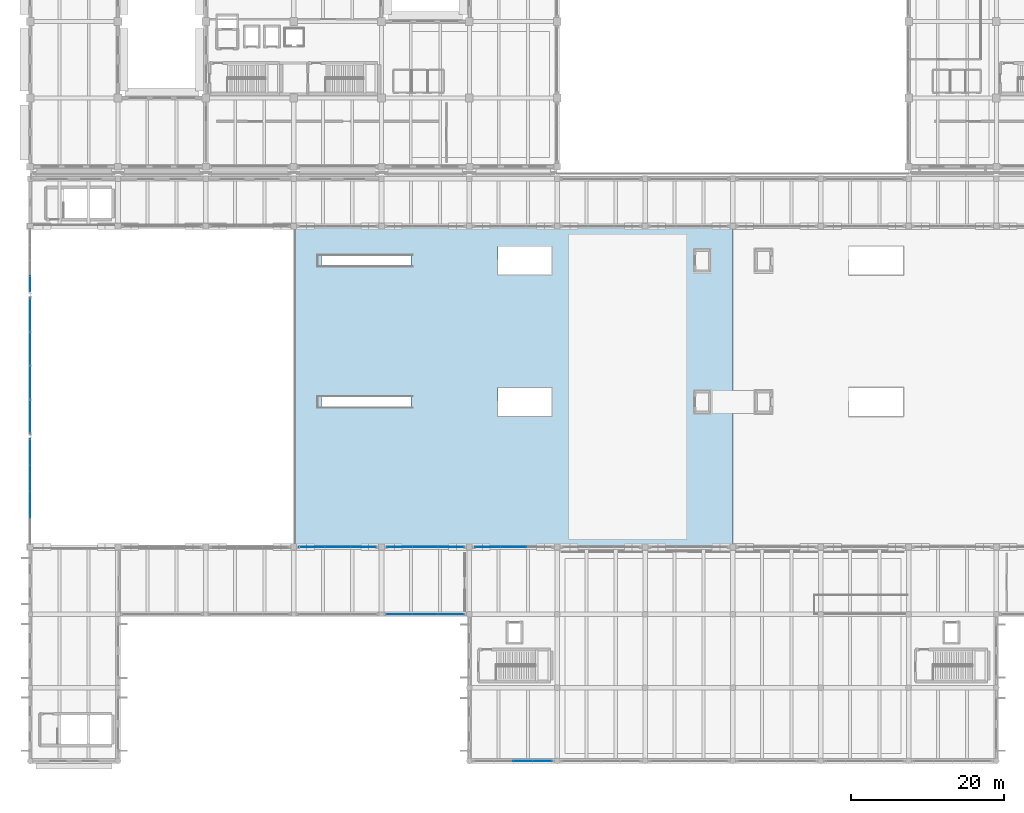
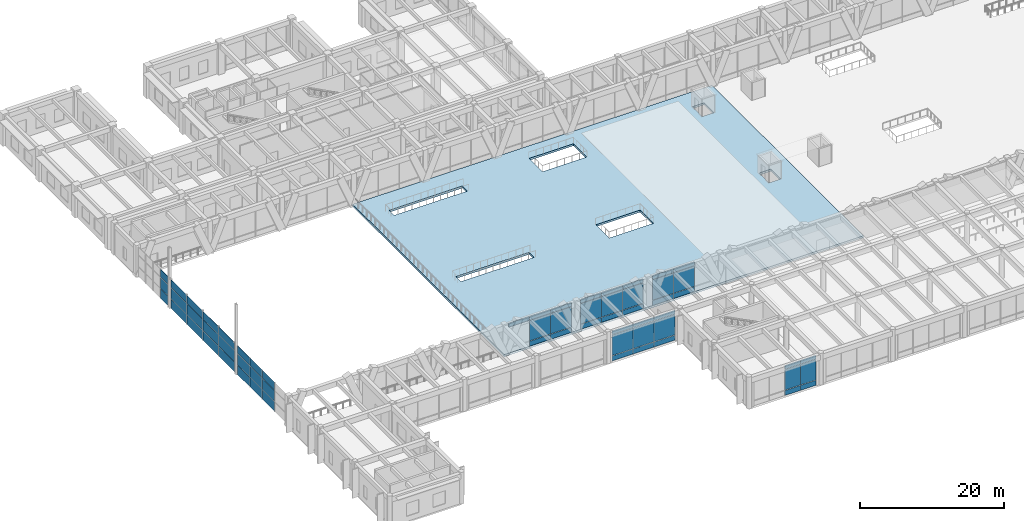
# One storey, part 114 of 148: 61 plates, 1 slab, 8 elements without a shape of their own.
"""IFC4 building model written with IfcOpenShell, lengths in metres."""

from ifc_helpers import new_model, si_unit, direction, frame, origin, origin_2d, place, context, subcontext, project, spatial, polyline, rectangle, outline, extrude, material, layer, layer_set, type_object, element, aggregate, save


model = new_model("IFC4")

# Units and contexts
model_context = context("Model", 3, precision=1e-05, world=origin(), true_north=direction((0.0, 1.0)))
body_context = subcontext(model_context, "Body", "Model", "MODEL_VIEW")
ifc_project = project(units=[si_unit("LENGTHUNIT", "METRE"), si_unit("AREAUNIT", "SQUARE_METRE"), si_unit("VOLUMEUNIT", "CUBIC_METRE"), si_unit("PLANEANGLEUNIT", "RADIAN"), si_unit("MASSUNIT", "GRAM", prefix="KILO")], contexts=[model_context])

# Site, building, storey
site_placement = place(None, origin())
site = spatial("IfcSite", under=ifc_project, at=site_placement, CompositionType="ELEMENT")
building_placement = place(site_placement, origin())
building = spatial("IfcBuilding", under=site, at=building_placement, Name="Ologun Quay Terminus", CompositionType="ELEMENT")
storey_placement = place(building_placement, frame((0.0, 0.0, 8.39990234375)))
storey = spatial("IfcBuildingStorey", under=building, at=storey_placement, Name="L02", CompositionType="ELEMENT", Elevation=8.39990234375)

# Curtain wall, plates
ifc_material_1 = material(Name="Aluminium 6063-T6", Category="aluminium")
curtain_wall_type_1 = type_object("IfcCurtainWallType", Name="Concourse Departure Curtain Wall 10700x4950", PredefinedType="USERDEFINED", material=ifc_material_1)
curtain_wall_1_placement = place(storey_placement, origin())
curtain_wall_1 = element("IfcCurtainWall", 1, at=curtain_wall_1_placement, inside=storey, type_object=curtain_wall_type_1, Name="CW-05 Curtain Wall CW-L02-024", ObjectType="UNITISED CURTAIN WALL", PredefinedType="USERDEFINED")
ifc_material_2 = material(Name="Glass", Category="glass")
ifc_layer_1 = layer(ifc_material_2, 0.031982421875)
ifc_layer_set_1 = layer_set([ifc_layer_1], Name="Glass")
plate_type_1 = type_object("IfcPlateType", Name="Acoustic Low-E Laminated Glazed Panel 32", PredefinedType="CURTAIN_PANEL", material=ifc_layer_set_1)
plate_1_placement = place(storey_placement, frame((64.501220703125, 8.0, 0.93017578125), z_axis=(0.0, 0.0, 1.0), x_axis=(1.0, 0.0, 0.0)))
plate_1 = element("IfcPlate", 2, at=plate_1_placement, type_object=plate_type_1, Name="CW-L02-024 Panel B3-2", PredefinedType="CURTAIN_PANEL", context=body_context, shape_type="SweptSolid", body=[
    extrude(rectangle(XDim=2.50244140625, YDim=0.031982421875, at=origin_2d()), origin(), (0.0, 0.0, 1.0), 3.47998046875),
])
plate_2_placement = place(storey_placement, frame((64.501220703125, 8.0, 4.47021484375), z_axis=(0.0, 0.0, 1.0), x_axis=(1.0, 0.0, 0.0)))
plate_2 = element("IfcPlate", 3, at=plate_2_placement, type_object=plate_type_1, Name="CW-L02-024 Panel B3-3", PredefinedType="CURTAIN_PANEL", context=body_context, shape_type="SweptSolid", body=[
    extrude(rectangle(XDim=2.50244140625, YDim=0.031982421875, at=origin_2d()), origin(), (0.0, 0.0, 1.0), 0.639892578125),
])
plate_3_placement = place(storey_placement, frame((67.003662109375, 8.0, 0.93017578125), z_axis=(0.0, 0.0, 1.0), x_axis=(1.0, 0.0, 0.0)))
plate_3 = element("IfcPlate", 4, at=plate_3_placement, type_object=plate_type_1, Name="CW-L02-024 Panel B4-2", PredefinedType="CURTAIN_PANEL", context=body_context, shape_type="SweptSolid", body=[
    extrude(rectangle(XDim=2.50244140625, YDim=0.031982421875, at=origin_2d()), origin(), (0.0, 0.0, 1.0), 3.47998046875),
])
plate_4_placement = place(storey_placement, frame((67.003662109375, 8.0, 4.47021484375), z_axis=(0.0, 0.0, 1.0), x_axis=(1.0, 0.0, 0.0)))
plate_4 = element("IfcPlate", 5, at=plate_4_placement, type_object=plate_type_1, Name="CW-L02-024 Panel B4-3", PredefinedType="CURTAIN_PANEL", context=body_context, shape_type="SweptSolid", body=[
    extrude(rectangle(XDim=2.50244140625, YDim=0.031982421875, at=origin_2d()), origin(), (0.0, 0.0, 1.0), 0.639892578125),
])

ifc_material_3 = material(Name="Aluminium 6063-T6", Category="aluminium")
curtain_wall_type_2 = type_object("IfcCurtainWallType", Name="Train Shed Gable Arch Screen 13500x4900", PredefinedType="USERDEFINED", material=ifc_material_3)
curtain_wall_2_placement = place(storey_placement, origin())
curtain_wall_2 = element("IfcCurtainWall", 6, at=curtain_wall_2_placement, inside=storey, type_object=curtain_wall_type_2, Name="CW-10 Curtain Wall CW-GBL-W1", ObjectType="UNITISED CURTAIN WALL", PredefinedType="USERDEFINED")
plate_5_placement = place(storey_placement, frame((0.0, 41.53759765625, 0.170166015625), z_axis=(0.0, 0.0, 1.0), x_axis=(0.0, 1.0, 0.0)))
plate_5 = element("IfcPlate", 7, at=plate_5_placement, type_object=plate_type_1, Name="CW-GBL-W1 Panel B2-1", PredefinedType="CURTAIN_PANEL", context=body_context, shape_type="SweptSolid", body=[
    extrude(rectangle(XDim=3.425048828125, YDim=0.031982421875, at=origin_2d()), origin(), (0.0, 0.0, 1.0), 1.60009765625),
])
plate_6_placement = place(storey_placement, frame((0.0, 41.53759765625, 1.830078125), z_axis=(0.0, 0.0, 1.0), x_axis=(0.0, 1.0, 0.0)))
plate_6 = element("IfcPlate", 8, at=plate_6_placement, type_object=plate_type_1, Name="CW-GBL-W1 Panel B2-2", PredefinedType="CURTAIN_PANEL", context=body_context, shape_type="SweptSolid", body=[
    extrude(rectangle(XDim=3.425048828125, YDim=0.031982421875, at=origin_2d()), origin(), (0.0, 0.0, 1.0), 1.840087890625),
])
plate_7_placement = place(storey_placement, frame((0.0, 41.53759765625, 3.72998046875), z_axis=(0.0, 0.0, 1.0), x_axis=(0.0, 1.0, 0.0)))
plate_7 = element("IfcPlate", 9, at=plate_7_placement, type_object=plate_type_1, Name="CW-GBL-W1 Panel B2-3", PredefinedType="CURTAIN_PANEL", context=body_context, shape_type="SweptSolid", body=[
    extrude(rectangle(XDim=3.425048828125, YDim=0.031982421875, at=origin_2d()), origin(), (0.0, 0.0, 1.0), 1.340087890625),
])
plate_8_placement = place(storey_placement, frame((0.0, 44.96240234375, 0.170166015625), z_axis=(0.0, 0.0, 1.0), x_axis=(0.0, 1.0, 0.0)))
plate_8 = element("IfcPlate", 10, at=plate_8_placement, type_object=plate_type_1, Name="CW-GBL-W1 Panel B3-1", PredefinedType="CURTAIN_PANEL", context=body_context, shape_type="SweptSolid", body=[
    extrude(rectangle(XDim=3.425048828125, YDim=0.031982421875, at=origin_2d()), origin(), (0.0, 0.0, 1.0), 1.60009765625),
])
plate_9_placement = place(storey_placement, frame((0.0, 44.96240234375, 1.830078125), z_axis=(0.0, 0.0, 1.0), x_axis=(0.0, 1.0, 0.0)))
plate_9 = element("IfcPlate", 11, at=plate_9_placement, type_object=plate_type_1, Name="CW-GBL-W1 Panel B3-2", PredefinedType="CURTAIN_PANEL", context=body_context, shape_type="SweptSolid", body=[
    extrude(rectangle(XDim=3.425048828125, YDim=0.031982421875, at=origin_2d()), origin(), (0.0, 0.0, 1.0), 1.840087890625),
])
plate_10_placement = place(storey_placement, frame((0.0, 44.96240234375, 3.72998046875), z_axis=(0.0, 0.0, 1.0), x_axis=(0.0, 1.0, 0.0)))
plate_10 = element("IfcPlate", 12, at=plate_10_placement, type_object=plate_type_1, Name="CW-GBL-W1 Panel B3-3", PredefinedType="CURTAIN_PANEL", context=body_context, shape_type="SweptSolid", body=[
    extrude(rectangle(XDim=3.425048828125, YDim=0.031982421875, at=origin_2d()), origin(), (0.0, 0.0, 1.0), 1.340087890625),
])
plate_11_placement = place(storey_placement, frame((0.0, 48.387451171875, 0.170166015625), z_axis=(0.0, 0.0, 1.0), x_axis=(0.0, 1.0, 0.0)))
plate_11 = element("IfcPlate", 13, at=plate_11_placement, type_object=plate_type_1, Name="CW-GBL-W1 Panel B4-1", PredefinedType="CURTAIN_PANEL", context=body_context, shape_type="SweptSolid", body=[
    extrude(rectangle(XDim=3.425048828125, YDim=0.031982421875, at=origin_2d()), origin(), (0.0, 0.0, 1.0), 1.60009765625),
])
plate_12_placement = place(storey_placement, frame((0.0, 48.387451171875, 1.830078125), z_axis=(0.0, 0.0, 1.0), x_axis=(0.0, 1.0, 0.0)))
plate_12 = element("IfcPlate", 14, at=plate_12_placement, type_object=plate_type_1, Name="CW-GBL-W1 Panel B4-2", PredefinedType="CURTAIN_PANEL", context=body_context, shape_type="SweptSolid", body=[
    extrude(rectangle(XDim=3.425048828125, YDim=0.031982421875, at=origin_2d()), origin(), (0.0, 0.0, 1.0), 1.840087890625),
])
plate_13_placement = place(storey_placement, frame((0.0, 48.387451171875, 3.72998046875), z_axis=(0.0, 0.0, 1.0), x_axis=(0.0, 1.0, 0.0)))
plate_13 = element("IfcPlate", 15, at=plate_13_placement, type_object=plate_type_1, Name="CW-GBL-W1 Panel B4-3", PredefinedType="CURTAIN_PANEL", context=body_context, shape_type="SweptSolid", body=[
    extrude(rectangle(XDim=3.425048828125, YDim=0.031982421875, at=origin_2d()), origin(), (0.0, 0.0, 1.0), 1.340087890625),
])
aggregate(curtain_wall_2, [plate_5, plate_6, plate_7, plate_8, plate_9, plate_10, plate_11, plate_12, plate_13])

ifc_material_4 = material(Name="Aluminium 6063-T6", Category="aluminium")
curtain_wall_type_3 = type_object("IfcCurtainWallType", Name="Train Shed Gable Center Screen 17500x4900", PredefinedType="USERDEFINED", material=ifc_material_4)
curtain_wall_3_placement = place(storey_placement, origin())
curtain_wall_3 = element("IfcCurtainWall", 16, at=curtain_wall_3_placement, inside=storey, type_object=curtain_wall_type_3, Name="CW-11 Curtain Wall CW-GBL-W2", ObjectType="UNITISED CURTAIN WALL", PredefinedType="USERDEFINED")
plate_14_placement = place(storey_placement, frame((0.0, 53.112548828125, 0.170166015625), z_axis=(0.0, 0.0, 1.0), x_axis=(0.0, 1.0, 0.0)))
plate_14 = element("IfcPlate", 17, at=plate_14_placement, type_object=plate_type_1, Name="CW-GBL-W2 Panel B1-1", PredefinedType="CURTAIN_PANEL", context=body_context, shape_type="SweptSolid", body=[
    extrude(rectangle(XDim=4.425048828125, YDim=0.031982421875, at=origin_2d()), origin(), (0.0, 0.0, 1.0), 1.60009765625),
])
plate_15_placement = place(storey_placement, frame((0.0, 53.112548828125, 1.830078125), z_axis=(0.0, 0.0, 1.0), x_axis=(0.0, 1.0, 0.0)))
plate_15 = element("IfcPlate", 18, at=plate_15_placement, type_object=plate_type_1, Name="CW-GBL-W2 Panel B1-2", PredefinedType="CURTAIN_PANEL", context=body_context, shape_type="SweptSolid", body=[
    extrude(rectangle(XDim=4.425048828125, YDim=0.031982421875, at=origin_2d()), origin(), (0.0, 0.0, 1.0), 1.840087890625),
])
plate_16_placement = place(storey_placement, frame((0.0, 53.112548828125, 3.72998046875), z_axis=(0.0, 0.0, 1.0), x_axis=(0.0, 1.0, 0.0)))
plate_16 = element("IfcPlate", 19, at=plate_16_placement, type_object=plate_type_1, Name="CW-GBL-W2 Panel B1-3", PredefinedType="CURTAIN_PANEL", context=body_context, shape_type="SweptSolid", body=[
    extrude(rectangle(XDim=4.425048828125, YDim=0.031982421875, at=origin_2d()), origin(), (0.0, 0.0, 1.0), 1.340087890625),
])
plate_17_placement = place(storey_placement, frame((0.0, 57.53759765625, 0.170166015625), z_axis=(0.0, 0.0, 1.0), x_axis=(0.0, 1.0, 0.0)))
plate_17 = element("IfcPlate", 20, at=plate_17_placement, type_object=plate_type_1, Name="CW-GBL-W2 Panel B2-1", PredefinedType="CURTAIN_PANEL", context=body_context, shape_type="SweptSolid", body=[
    extrude(rectangle(XDim=4.425048828125, YDim=0.031982421875, at=origin_2d()), origin(), (0.0, 0.0, 1.0), 1.60009765625),
])
plate_18_placement = place(storey_placement, frame((0.0, 57.53759765625, 1.830078125), z_axis=(0.0, 0.0, 1.0), x_axis=(0.0, 1.0, 0.0)))
plate_18 = element("IfcPlate", 21, at=plate_18_placement, type_object=plate_type_1, Name="CW-GBL-W2 Panel B2-2", PredefinedType="CURTAIN_PANEL", context=body_context, shape_type="SweptSolid", body=[
    extrude(rectangle(XDim=4.425048828125, YDim=0.031982421875, at=origin_2d()), origin(), (0.0, 0.0, 1.0), 1.840087890625),
])
plate_19_placement = place(storey_placement, frame((0.0, 57.53759765625, 3.72998046875), z_axis=(0.0, 0.0, 1.0), x_axis=(0.0, 1.0, 0.0)))
plate_19 = element("IfcPlate", 22, at=plate_19_placement, type_object=plate_type_1, Name="CW-GBL-W2 Panel B2-3", PredefinedType="CURTAIN_PANEL", context=body_context, shape_type="SweptSolid", body=[
    extrude(rectangle(XDim=4.425048828125, YDim=0.031982421875, at=origin_2d()), origin(), (0.0, 0.0, 1.0), 1.340087890625),
])
plate_20_placement = place(storey_placement, frame((0.0, 61.96240234375, 0.170166015625), z_axis=(0.0, 0.0, 1.0), x_axis=(0.0, 1.0, 0.0)))
plate_20 = element("IfcPlate", 23, at=plate_20_placement, type_object=plate_type_1, Name="CW-GBL-W2 Panel B3-1", PredefinedType="CURTAIN_PANEL", context=body_context, shape_type="SweptSolid", body=[
    extrude(rectangle(XDim=4.425048828125, YDim=0.031982421875, at=origin_2d()), origin(), (0.0, 0.0, 1.0), 1.60009765625),
])
plate_21_placement = place(storey_placement, frame((0.0, 61.96240234375, 1.830078125), z_axis=(0.0, 0.0, 1.0), x_axis=(0.0, 1.0, 0.0)))
plate_21 = element("IfcPlate", 24, at=plate_21_placement, type_object=plate_type_1, Name="CW-GBL-W2 Panel B3-2", PredefinedType="CURTAIN_PANEL", context=body_context, shape_type="SweptSolid", body=[
    extrude(rectangle(XDim=4.425048828125, YDim=0.031982421875, at=origin_2d()), origin(), (0.0, 0.0, 1.0), 1.840087890625),
])
plate_22_placement = place(storey_placement, frame((0.0, 61.96240234375, 3.72998046875), z_axis=(0.0, 0.0, 1.0), x_axis=(0.0, 1.0, 0.0)))
plate_22 = element("IfcPlate", 25, at=plate_22_placement, type_object=plate_type_1, Name="CW-GBL-W2 Panel B3-3", PredefinedType="CURTAIN_PANEL", context=body_context, shape_type="SweptSolid", body=[
    extrude(rectangle(XDim=4.425048828125, YDim=0.031982421875, at=origin_2d()), origin(), (0.0, 0.0, 1.0), 1.340087890625),
])
plate_23_placement = place(storey_placement, frame((0.0, 66.387451171875, 0.170166015625), z_axis=(0.0, 0.0, 1.0), x_axis=(0.0, 1.0, 0.0)))
plate_23 = element("IfcPlate", 26, at=plate_23_placement, type_object=plate_type_1, Name="CW-GBL-W2 Panel B4-1", PredefinedType="CURTAIN_PANEL", context=body_context, shape_type="SweptSolid", body=[
    extrude(rectangle(XDim=4.425048828125, YDim=0.031982421875, at=origin_2d()), origin(), (0.0, 0.0, 1.0), 1.60009765625),
])
plate_24_placement = place(storey_placement, frame((0.0, 66.387451171875, 1.830078125), z_axis=(0.0, 0.0, 1.0), x_axis=(0.0, 1.0, 0.0)))
plate_24 = element("IfcPlate", 27, at=plate_24_placement, type_object=plate_type_1, Name="CW-GBL-W2 Panel B4-2", PredefinedType="CURTAIN_PANEL", context=body_context, shape_type="SweptSolid", body=[
    extrude(rectangle(XDim=4.425048828125, YDim=0.031982421875, at=origin_2d()), origin(), (0.0, 0.0, 1.0), 1.840087890625),
])
plate_25_placement = place(storey_placement, frame((0.0, 66.387451171875, 3.72998046875), z_axis=(0.0, 0.0, 1.0), x_axis=(0.0, 1.0, 0.0)))
plate_25 = element("IfcPlate", 28, at=plate_25_placement, type_object=plate_type_1, Name="CW-GBL-W2 Panel B4-3", PredefinedType="CURTAIN_PANEL", context=body_context, shape_type="SweptSolid", body=[
    extrude(rectangle(XDim=4.425048828125, YDim=0.031982421875, at=origin_2d()), origin(), (0.0, 0.0, 1.0), 1.340087890625),
])
aggregate(curtain_wall_3, [plate_14, plate_15, plate_16, plate_17, plate_18, plate_19, plate_20, plate_21, plate_22, plate_23, plate_24, plate_25])

curtain_wall_4_placement = place(storey_placement, origin())
curtain_wall_4 = element("IfcCurtainWall", 29, at=curtain_wall_4_placement, inside=storey, type_object=curtain_wall_type_2, Name="CW-10 Curtain Wall CW-GBL-W3", ObjectType="UNITISED CURTAIN WALL", PredefinedType="USERDEFINED")
plate_26_placement = place(storey_placement, frame((0.0, 70.425048828125, 0.170166015625), z_axis=(0.0, 0.0, 1.0), x_axis=(0.0, 1.0, 0.0)))
plate_26 = element("IfcPlate", 30, at=plate_26_placement, type_object=plate_type_1, Name="CW-GBL-W3 Panel B1-1", PredefinedType="CURTAIN_PANEL", context=body_context, shape_type="SweptSolid", body=[
    extrude(rectangle(XDim=2.050048828125, YDim=0.031982421875, at=origin_2d()), origin(), (0.0, 0.0, 1.0), 1.60009765625),
])
plate_27_placement = place(storey_placement, frame((0.0, 70.425048828125, 1.830078125), z_axis=(0.0, 0.0, 1.0), x_axis=(0.0, 1.0, 0.0)))
plate_27 = element("IfcPlate", 31, at=plate_27_placement, type_object=plate_type_1, Name="CW-GBL-W3 Panel B1-2", PredefinedType="CURTAIN_PANEL", context=body_context, shape_type="SweptSolid", body=[
    extrude(rectangle(XDim=2.050048828125, YDim=0.031982421875, at=origin_2d()), origin(), (0.0, 0.0, 1.0), 1.840087890625),
])
plate_28_placement = place(storey_placement, frame((0.0, 70.425048828125, 3.72998046875), z_axis=(0.0, 0.0, 1.0), x_axis=(0.0, 1.0, 0.0)))
plate_28 = element("IfcPlate", 32, at=plate_28_placement, type_object=plate_type_1, Name="CW-GBL-W3 Panel B1-3", PredefinedType="CURTAIN_PANEL", context=body_context, shape_type="SweptSolid", body=[
    extrude(rectangle(XDim=2.050048828125, YDim=0.031982421875, at=origin_2d()), origin(), (0.0, 0.0, 1.0), 1.340087890625),
])
aggregate(curtain_wall_4, [plate_26, plate_27, plate_28])

# Slab
ifc_material_5 = material(Name="Concrete C40/50", Category="concrete")
ifc_layer_2 = layer(ifc_material_5, 0.35009765625)
ifc_layer_set_2 = layer_set([ifc_layer_2], Name="Concrete C40/50")
slab_type = type_object("IfcSlabType", Name="Elevated Concourse Deck Slab 350", PredefinedType="FLOOR", material=ifc_layer_set_2)
slab_placement = place(storey_placement, frame((0.0, 0.0, -0.349853515625)))
element("IfcSlab", 33, at=slab_placement, inside=storey, type_object=slab_type, Name="SL-CON Over-Track Concourse Bridge 1", PredefinedType="FLOOR", context=body_context, shape_type="SweptSolid", body=[
    extrude(outline(polyline([(34.5, 36.0), (92.0, 36.0), (92.0, 78.0), (34.5, 78.0), (34.5, 36.0)]), holes=[polyline([(87.050048828125, 53.64990234375), (87.050048828125, 56.35009765625), (88.949951171875, 56.35009765625), (88.949951171875, 53.64990234375), (87.050048828125, 53.64990234375)]), polyline([(87.050048828125, 72.14990234375), (87.050048828125, 74.85009765625), (88.949951171875, 74.85009765625), (88.949951171875, 72.14990234375), (87.050048828125, 72.14990234375)]), polyline([(61.22998046875, 53.14990234375), (61.22998046875, 56.85009765625), (68.300048828125, 56.85009765625), (68.300048828125, 53.14990234375), (61.22998046875, 53.14990234375)]), polyline([(61.22998046875, 71.64990234375), (61.22998046875, 75.35009765625), (68.300048828125, 75.35009765625), (68.300048828125, 71.64990234375), (61.22998046875, 71.64990234375)]), polyline([(38.14990234375, 54.300048828125), (38.14990234375, 55.699951171875), (49.85009765625, 55.699951171875), (49.85009765625, 54.300048828125), (38.14990234375, 54.300048828125)]), polyline([(38.14990234375, 72.800048828125), (38.14990234375, 74.199951171875), (49.85009765625, 74.199951171875), (49.85009765625, 72.800048828125), (38.14990234375, 72.800048828125)])]), origin(), (0.0, 0.0, 1.0), 0.349853515625),
])

# Curtain wall, plates
curtain_wall_5_placement = place(storey_placement, origin())
curtain_wall_5 = element("IfcCurtainWall", 34, at=curtain_wall_5_placement, inside=storey, type_object=curtain_wall_type_1, Name="CW-05 Curtain Wall CW-L02-023", ObjectType="UNITISED CURTAIN WALL", PredefinedType="USERDEFINED")
ifc_material_6 = material(Name="Aluminium 6063-T6", Category="aluminium")
ifc_layer_3 = layer(ifc_material_6, 0.050048828125)
ifc_layer_set_3 = layer_set([ifc_layer_3], Name="Aluminium 6063-T6")
plate_type_2 = type_object("IfcPlateType", Name="Insulated Aluminium Shadow-Box Spandrel 50", PredefinedType="CURTAIN_PANEL", material=ifc_layer_set_3)
plate_29_placement = place(storey_placement, frame((48.350830078125, 27.199951171875, 0.0302734375), z_axis=(0.0, 0.0, 1.0), x_axis=(1.0, 0.0, 0.0)))
plate_29 = element("IfcPlate", 35, at=plate_29_placement, type_object=plate_type_2, Name="CW-L02-023 Panel B1-1", PredefinedType="CURTAIN_PANEL", context=body_context, shape_type="SweptSolid", body=[
    extrude(rectangle(XDim=3.36181640625, YDim=0.050048828125, at=origin_2d()), origin(), (0.0, 0.0, 1.0), 0.840087890625),
])
plate_30_placement = place(storey_placement, frame((51.71240234375, 27.199951171875, 0.0302734375), z_axis=(0.0, 0.0, 1.0), x_axis=(1.0, 0.0, 0.0)))
plate_30 = element("IfcPlate", 36, at=plate_30_placement, type_object=plate_type_2, Name="CW-L02-023 Panel B2-1", PredefinedType="CURTAIN_PANEL", context=body_context, shape_type="SweptSolid", body=[
    extrude(rectangle(XDim=3.36181640625, YDim=0.050048828125, at=origin_2d()), origin(), (0.0, 0.0, 1.0), 0.840087890625),
])
plate_31_placement = place(storey_placement, frame((55.07421875, 27.199951171875, 0.0302734375), z_axis=(0.0, 0.0, 1.0), x_axis=(1.0, 0.0, 0.0)))
plate_31 = element("IfcPlate", 37, at=plate_31_placement, type_object=plate_type_2, Name="CW-L02-023 Panel B3-1", PredefinedType="CURTAIN_PANEL", context=body_context, shape_type="SweptSolid", body=[
    extrude(rectangle(XDim=3.36181640625, YDim=0.050048828125, at=origin_2d()), origin(), (0.0, 0.0, 1.0), 0.840087890625),
])

# Plate
plate_32_placement = place(storey_placement, frame((64.501220703125, 8.0, 0.0302734375), z_axis=(0.0, 0.0, 1.0), x_axis=(1.0, 0.0, 0.0)))
plate_32 = element("IfcPlate", 38, at=plate_32_placement, type_object=plate_type_2, Name="CW-L02-024 Panel B3-1", PredefinedType="CURTAIN_PANEL", context=body_context, shape_type="SweptSolid", body=[
    extrude(rectangle(XDim=2.50244140625, YDim=0.050048828125, at=origin_2d()), origin(), (0.0, 0.0, 1.0), 0.840087890625),
])

plate_33_placement = place(storey_placement, frame((67.003662109375, 8.0, 0.0302734375), z_axis=(0.0, 0.0, 1.0), x_axis=(1.0, 0.0, 0.0)))
plate_33 = element("IfcPlate", 39, at=plate_33_placement, type_object=plate_type_2, Name="CW-L02-024 Panel B4-1", PredefinedType="CURTAIN_PANEL", context=body_context, shape_type="SweptSolid", body=[
    extrude(rectangle(XDim=2.50244140625, YDim=0.050048828125, at=origin_2d()), origin(), (0.0, 0.0, 1.0), 0.840087890625),
])

aggregate(curtain_wall_1, [plate_32, plate_1, plate_2, plate_33, plate_3, plate_4])

# Curtain wall, plates
ifc_material_7 = material(Name="Aluminium 6063-T6", Category="aluminium")
curtain_wall_type_4 = type_object("IfcCurtainWallType", Name="Train Shed South Clerestory Curtain Wall 10700x5050", PredefinedType="USERDEFINED", material=ifc_material_7)
curtain_wall_6_placement = place(storey_placement, origin())
curtain_wall_6 = element("IfcCurtainWall", 40, at=curtain_wall_6_placement, inside=storey, type_object=curtain_wall_type_4, Name="CW-08 Curtain Wall CW-L02-050", ObjectType="UNITISED CURTAIN WALL", PredefinedType="USERDEFINED")
plate_34_placement = place(storey_placement, frame((40.25, 36.0, 0.0302734375), z_axis=(0.0, 0.0, 1.0), x_axis=(1.0, 0.0, 0.0)))
plate_34 = element("IfcPlate", 41, at=plate_34_placement, type_object=plate_type_2, Name="CW-L02-050 Panel B2-1", PredefinedType="CURTAIN_PANEL", context=body_context, shape_type="SweptSolid", body=[
    extrude(rectangle(XDim=3.336669921875, YDim=0.050048828125, at=origin_2d()), origin(), (0.0, 0.0, 1.0), 0.840087890625),
])
plate_35_placement = place(storey_placement, frame((43.586669921875, 36.0, 0.0302734375), z_axis=(0.0, 0.0, 1.0), x_axis=(1.0, 0.0, 0.0)))
plate_35 = element("IfcPlate", 42, at=plate_35_placement, type_object=plate_type_2, Name="CW-L02-050 Panel B3-1", PredefinedType="CURTAIN_PANEL", context=body_context, shape_type="SweptSolid", body=[
    extrude(rectangle(XDim=3.336669921875, YDim=0.050048828125, at=origin_2d()), origin(), (0.0, 0.0, 1.0), 0.840087890625),
])

curtain_wall_7_placement = place(storey_placement, origin())
curtain_wall_7 = element("IfcCurtainWall", 43, at=curtain_wall_7_placement, inside=storey, type_object=curtain_wall_type_4, Name="CW-08 Curtain Wall CW-L02-052", ObjectType="UNITISED CURTAIN WALL", PredefinedType="USERDEFINED")
plate_36_placement = place(storey_placement, frame((48.413330078125, 36.0, 0.0302734375), z_axis=(0.0, 0.0, 1.0), x_axis=(1.0, 0.0, 0.0)))
plate_36 = element("IfcPlate", 44, at=plate_36_placement, type_object=plate_type_2, Name="CW-L02-052 Panel B1-1", PredefinedType="CURTAIN_PANEL", context=body_context, shape_type="SweptSolid", body=[
    extrude(rectangle(XDim=3.336669921875, YDim=0.050048828125, at=origin_2d()), origin(), (0.0, 0.0, 1.0), 0.840087890625),
])
plate_37_placement = place(storey_placement, frame((51.75, 36.0, 0.0302734375), z_axis=(0.0, 0.0, 1.0), x_axis=(1.0, 0.0, 0.0)))
plate_37 = element("IfcPlate", 45, at=plate_37_placement, type_object=plate_type_2, Name="CW-L02-052 Panel B2-1", PredefinedType="CURTAIN_PANEL", context=body_context, shape_type="SweptSolid", body=[
    extrude(rectangle(XDim=3.336669921875, YDim=0.050048828125, at=origin_2d()), origin(), (0.0, 0.0, 1.0), 0.840087890625),
])
plate_38_placement = place(storey_placement, frame((55.086669921875, 36.0, 0.0302734375), z_axis=(0.0, 0.0, 1.0), x_axis=(1.0, 0.0, 0.0)))
plate_38 = element("IfcPlate", 46, at=plate_38_placement, type_object=plate_type_2, Name="CW-L02-052 Panel B3-1", PredefinedType="CURTAIN_PANEL", context=body_context, shape_type="SweptSolid", body=[
    extrude(rectangle(XDim=3.336669921875, YDim=0.050048828125, at=origin_2d()), origin(), (0.0, 0.0, 1.0), 0.840087890625),
])

curtain_wall_8_placement = place(storey_placement, origin())
curtain_wall_8 = element("IfcCurtainWall", 47, at=curtain_wall_8_placement, inside=storey, type_object=curtain_wall_type_4, Name="CW-08 Curtain Wall CW-L02-054", ObjectType="UNITISED CURTAIN WALL", PredefinedType="USERDEFINED")
plate_39_placement = place(storey_placement, frame((59.913330078125, 36.0, 0.0302734375), z_axis=(0.0, 0.0, 1.0), x_axis=(1.0, 0.0, 0.0)))
plate_39 = element("IfcPlate", 48, at=plate_39_placement, type_object=plate_type_2, Name="CW-L02-054 Panel B1-1", PredefinedType="CURTAIN_PANEL", context=body_context, shape_type="SweptSolid", body=[
    extrude(rectangle(XDim=3.336669921875, YDim=0.050048828125, at=origin_2d()), origin(), (0.0, 0.0, 1.0), 0.840087890625),
])
plate_40_placement = place(storey_placement, frame((63.25, 36.0, 0.0302734375), z_axis=(0.0, 0.0, 1.0), x_axis=(1.0, 0.0, 0.0)))
plate_40 = element("IfcPlate", 49, at=plate_40_placement, type_object=plate_type_2, Name="CW-L02-054 Panel B2-1", PredefinedType="CURTAIN_PANEL", context=body_context, shape_type="SweptSolid", body=[
    extrude(rectangle(XDim=3.336669921875, YDim=0.050048828125, at=origin_2d()), origin(), (0.0, 0.0, 1.0), 0.840087890625),
])

# Plate
ifc_material_8 = material(Name="Glass", Category="glass")
ifc_layer_4 = layer(ifc_material_8, 0.028076171875)
ifc_layer_set_4 = layer_set([ifc_layer_4], Name="Glass")
plate_type_3 = type_object("IfcPlateType", Name="Solar-Control Double Glazed Panel 28", PredefinedType="CURTAIN_PANEL", material=ifc_layer_set_4)
plate_41_placement = place(storey_placement, frame((48.350830078125, 27.199951171875, 0.93017578125), z_axis=(0.0, 0.0, 1.0), x_axis=(1.0, 0.0, 0.0)))
plate_41 = element("IfcPlate", 50, at=plate_41_placement, type_object=plate_type_3, Name="CW-L02-023 Panel B1-2", PredefinedType="CURTAIN_PANEL", context=body_context, shape_type="SweptSolid", body=[
    extrude(rectangle(XDim=3.36181640625, YDim=0.028076171875, at=origin_2d()), origin(), (0.0, 0.0, 1.0), 3.47998046875),
])

plate_42_placement = place(storey_placement, frame((48.350830078125, 27.199951171875, 4.47021484375), z_axis=(0.0, 0.0, 1.0), x_axis=(1.0, 0.0, 0.0)))
plate_42 = element("IfcPlate", 51, at=plate_42_placement, type_object=plate_type_3, Name="CW-L02-023 Panel B1-3", PredefinedType="CURTAIN_PANEL", context=body_context, shape_type="SweptSolid", body=[
    extrude(rectangle(XDim=3.36181640625, YDim=0.028076171875, at=origin_2d()), origin(), (0.0, 0.0, 1.0), 0.639892578125),
])

plate_43_placement = place(storey_placement, frame((51.71240234375, 27.199951171875, 0.93017578125), z_axis=(0.0, 0.0, 1.0), x_axis=(1.0, 0.0, 0.0)))
plate_43 = element("IfcPlate", 52, at=plate_43_placement, type_object=plate_type_3, Name="CW-L02-023 Panel B2-2", PredefinedType="CURTAIN_PANEL", context=body_context, shape_type="SweptSolid", body=[
    extrude(rectangle(XDim=3.36181640625, YDim=0.028076171875, at=origin_2d()), origin(), (0.0, 0.0, 1.0), 3.47998046875),
])

plate_44_placement = place(storey_placement, frame((51.71240234375, 27.199951171875, 4.47021484375), z_axis=(0.0, 0.0, 1.0), x_axis=(1.0, 0.0, 0.0)))
plate_44 = element("IfcPlate", 53, at=plate_44_placement, type_object=plate_type_3, Name="CW-L02-023 Panel B2-3", PredefinedType="CURTAIN_PANEL", context=body_context, shape_type="SweptSolid", body=[
    extrude(rectangle(XDim=3.36181640625, YDim=0.028076171875, at=origin_2d()), origin(), (0.0, 0.0, 1.0), 0.639892578125),
])

plate_45_placement = place(storey_placement, frame((55.07421875, 27.199951171875, 0.93017578125), z_axis=(0.0, 0.0, 1.0), x_axis=(1.0, 0.0, 0.0)))
plate_45 = element("IfcPlate", 54, at=plate_45_placement, type_object=plate_type_3, Name="CW-L02-023 Panel B3-2", PredefinedType="CURTAIN_PANEL", context=body_context, shape_type="SweptSolid", body=[
    extrude(rectangle(XDim=3.36181640625, YDim=0.028076171875, at=origin_2d()), origin(), (0.0, 0.0, 1.0), 3.47998046875),
])

plate_46_placement = place(storey_placement, frame((55.07421875, 27.199951171875, 4.47021484375), z_axis=(0.0, 0.0, 1.0), x_axis=(1.0, 0.0, 0.0)))
plate_46 = element("IfcPlate", 55, at=plate_46_placement, type_object=plate_type_3, Name="CW-L02-023 Panel B3-3", PredefinedType="CURTAIN_PANEL", context=body_context, shape_type="SweptSolid", body=[
    extrude(rectangle(XDim=3.36181640625, YDim=0.028076171875, at=origin_2d()), origin(), (0.0, 0.0, 1.0), 0.639892578125),
])

aggregate(curtain_wall_5, [plate_29, plate_41, plate_42, plate_30, plate_43, plate_44, plate_31, plate_45, plate_46])

plate_47_placement = place(storey_placement, frame((36.913330078125, 36.0, 4.43017578125), z_axis=(0.0, 0.0, 1.0), x_axis=(1.0, 0.0, 0.0)))
plate_47 = element("IfcPlate", 56, at=plate_47_placement, type_object=plate_type_3, Name="CW-L02-050 Panel B1-3", PredefinedType="CURTAIN_PANEL", context=body_context, shape_type="SweptSolid", body=[
    extrude(rectangle(XDim=3.336669921875, YDim=0.028076171875, at=origin_2d()), origin(), (0.0, 0.0, 1.0), 0.639892578125),
])

plate_48_placement = place(storey_placement, frame((40.25, 36.0, 0.93017578125), z_axis=(0.0, 0.0, 1.0), x_axis=(1.0, 0.0, 0.0)))
plate_48 = element("IfcPlate", 57, at=plate_48_placement, type_object=plate_type_3, Name="CW-L02-050 Panel B2-2", PredefinedType="CURTAIN_PANEL", context=body_context, shape_type="SweptSolid", body=[
    extrude(rectangle(XDim=3.336669921875, YDim=0.028076171875, at=origin_2d()), origin(), (0.0, 0.0, 1.0), 3.43994140625),
])

plate_49_placement = place(storey_placement, frame((40.25, 36.0, 4.43017578125), z_axis=(0.0, 0.0, 1.0), x_axis=(1.0, 0.0, 0.0)))
plate_49 = element("IfcPlate", 58, at=plate_49_placement, type_object=plate_type_3, Name="CW-L02-050 Panel B2-3", PredefinedType="CURTAIN_PANEL", context=body_context, shape_type="SweptSolid", body=[
    extrude(rectangle(XDim=3.336669921875, YDim=0.028076171875, at=origin_2d()), origin(), (0.0, 0.0, 1.0), 0.639892578125),
])

plate_50_placement = place(storey_placement, frame((43.586669921875, 36.0, 0.93017578125), z_axis=(0.0, 0.0, 1.0), x_axis=(1.0, 0.0, 0.0)))
plate_50 = element("IfcPlate", 59, at=plate_50_placement, type_object=plate_type_3, Name="CW-L02-050 Panel B3-2", PredefinedType="CURTAIN_PANEL", context=body_context, shape_type="SweptSolid", body=[
    extrude(rectangle(XDim=3.336669921875, YDim=0.028076171875, at=origin_2d()), origin(), (0.0, 0.0, 1.0), 3.43994140625),
])

plate_51_placement = place(storey_placement, frame((43.586669921875, 36.0, 4.43017578125), z_axis=(0.0, 0.0, 1.0), x_axis=(1.0, 0.0, 0.0)))
plate_51 = element("IfcPlate", 60, at=plate_51_placement, type_object=plate_type_3, Name="CW-L02-050 Panel B3-3", PredefinedType="CURTAIN_PANEL", context=body_context, shape_type="SweptSolid", body=[
    extrude(rectangle(XDim=3.336669921875, YDim=0.028076171875, at=origin_2d()), origin(), (0.0, 0.0, 1.0), 0.639892578125),
])

aggregate(curtain_wall_6, [plate_47, plate_34, plate_48, plate_49, plate_35, plate_50, plate_51])

plate_52_placement = place(storey_placement, frame((48.413330078125, 36.0, 0.93017578125), z_axis=(0.0, 0.0, 1.0), x_axis=(1.0, 0.0, 0.0)))
plate_52 = element("IfcPlate", 61, at=plate_52_placement, type_object=plate_type_3, Name="CW-L02-052 Panel B1-2", PredefinedType="CURTAIN_PANEL", context=body_context, shape_type="SweptSolid", body=[
    extrude(rectangle(XDim=3.336669921875, YDim=0.028076171875, at=origin_2d()), origin(), (0.0, 0.0, 1.0), 3.43994140625),
])

plate_53_placement = place(storey_placement, frame((48.413330078125, 36.0, 4.43017578125), z_axis=(0.0, 0.0, 1.0), x_axis=(1.0, 0.0, 0.0)))
plate_53 = element("IfcPlate", 62, at=plate_53_placement, type_object=plate_type_3, Name="CW-L02-052 Panel B1-3", PredefinedType="CURTAIN_PANEL", context=body_context, shape_type="SweptSolid", body=[
    extrude(rectangle(XDim=3.336669921875, YDim=0.028076171875, at=origin_2d()), origin(), (0.0, 0.0, 1.0), 0.639892578125),
])

plate_54_placement = place(storey_placement, frame((51.75, 36.0, 0.93017578125), z_axis=(0.0, 0.0, 1.0), x_axis=(1.0, 0.0, 0.0)))
plate_54 = element("IfcPlate", 63, at=plate_54_placement, type_object=plate_type_3, Name="CW-L02-052 Panel B2-2", PredefinedType="CURTAIN_PANEL", context=body_context, shape_type="SweptSolid", body=[
    extrude(rectangle(XDim=3.336669921875, YDim=0.028076171875, at=origin_2d()), origin(), (0.0, 0.0, 1.0), 3.43994140625),
])

plate_55_placement = place(storey_placement, frame((51.75, 36.0, 4.43017578125), z_axis=(0.0, 0.0, 1.0), x_axis=(1.0, 0.0, 0.0)))
plate_55 = element("IfcPlate", 64, at=plate_55_placement, type_object=plate_type_3, Name="CW-L02-052 Panel B2-3", PredefinedType="CURTAIN_PANEL", context=body_context, shape_type="SweptSolid", body=[
    extrude(rectangle(XDim=3.336669921875, YDim=0.028076171875, at=origin_2d()), origin(), (0.0, 0.0, 1.0), 0.639892578125),
])

plate_56_placement = place(storey_placement, frame((55.086669921875, 36.0, 0.93017578125), z_axis=(0.0, 0.0, 1.0), x_axis=(1.0, 0.0, 0.0)))
plate_56 = element("IfcPlate", 65, at=plate_56_placement, type_object=plate_type_3, Name="CW-L02-052 Panel B3-2", PredefinedType="CURTAIN_PANEL", context=body_context, shape_type="SweptSolid", body=[
    extrude(rectangle(XDim=3.336669921875, YDim=0.028076171875, at=origin_2d()), origin(), (0.0, 0.0, 1.0), 3.43994140625),
])

plate_57_placement = place(storey_placement, frame((55.086669921875, 36.0, 4.43017578125), z_axis=(0.0, 0.0, 1.0), x_axis=(1.0, 0.0, 0.0)))
plate_57 = element("IfcPlate", 66, at=plate_57_placement, type_object=plate_type_3, Name="CW-L02-052 Panel B3-3", PredefinedType="CURTAIN_PANEL", context=body_context, shape_type="SweptSolid", body=[
    extrude(rectangle(XDim=3.336669921875, YDim=0.028076171875, at=origin_2d()), origin(), (0.0, 0.0, 1.0), 0.639892578125),
])

aggregate(curtain_wall_7, [plate_36, plate_52, plate_53, plate_37, plate_54, plate_55, plate_38, plate_56, plate_57])

plate_58_placement = place(storey_placement, frame((59.913330078125, 36.0, 0.93017578125), z_axis=(0.0, 0.0, 1.0), x_axis=(1.0, 0.0, 0.0)))
plate_58 = element("IfcPlate", 67, at=plate_58_placement, type_object=plate_type_3, Name="CW-L02-054 Panel B1-2", PredefinedType="CURTAIN_PANEL", context=body_context, shape_type="SweptSolid", body=[
    extrude(rectangle(XDim=3.336669921875, YDim=0.028076171875, at=origin_2d()), origin(), (0.0, 0.0, 1.0), 3.43994140625),
])

plate_59_placement = place(storey_placement, frame((59.913330078125, 36.0, 4.43017578125), z_axis=(0.0, 0.0, 1.0), x_axis=(1.0, 0.0, 0.0)))
plate_59 = element("IfcPlate", 68, at=plate_59_placement, type_object=plate_type_3, Name="CW-L02-054 Panel B1-3", PredefinedType="CURTAIN_PANEL", context=body_context, shape_type="SweptSolid", body=[
    extrude(rectangle(XDim=3.336669921875, YDim=0.028076171875, at=origin_2d()), origin(), (0.0, 0.0, 1.0), 0.639892578125),
])

plate_60_placement = place(storey_placement, frame((63.25, 36.0, 0.93017578125), z_axis=(0.0, 0.0, 1.0), x_axis=(1.0, 0.0, 0.0)))
plate_60 = element("IfcPlate", 69, at=plate_60_placement, type_object=plate_type_3, Name="CW-L02-054 Panel B2-2", PredefinedType="CURTAIN_PANEL", context=body_context, shape_type="SweptSolid", body=[
    extrude(rectangle(XDim=3.336669921875, YDim=0.028076171875, at=origin_2d()), origin(), (0.0, 0.0, 1.0), 3.43994140625),
])

plate_61_placement = place(storey_placement, frame((63.25, 36.0, 4.43017578125), z_axis=(0.0, 0.0, 1.0), x_axis=(1.0, 0.0, 0.0)))
plate_61 = element("IfcPlate", 70, at=plate_61_placement, type_object=plate_type_3, Name="CW-L02-054 Panel B2-3", PredefinedType="CURTAIN_PANEL", context=body_context, shape_type="SweptSolid", body=[
    extrude(rectangle(XDim=3.336669921875, YDim=0.028076171875, at=origin_2d()), origin(), (0.0, 0.0, 1.0), 0.639892578125),
])

aggregate(curtain_wall_8, [plate_39, plate_58, plate_59, plate_40, plate_60, plate_61])

save(model, "model.ifc")
